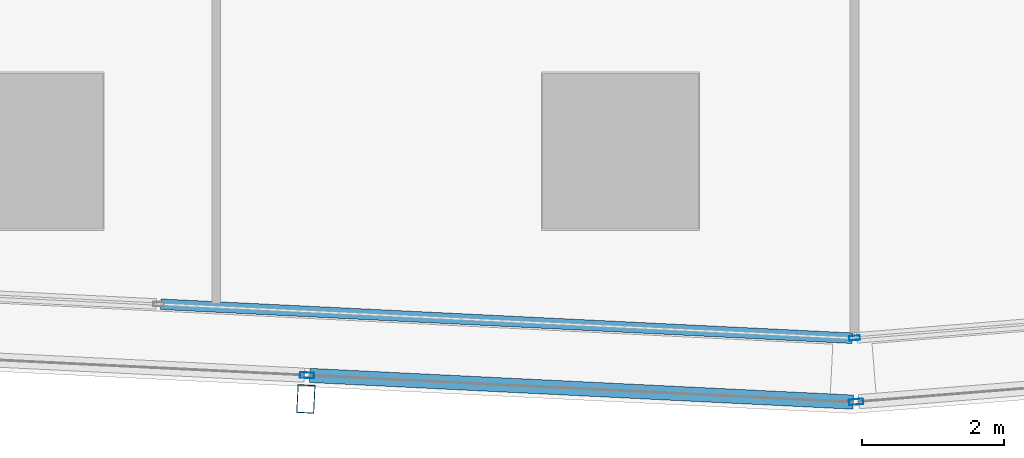
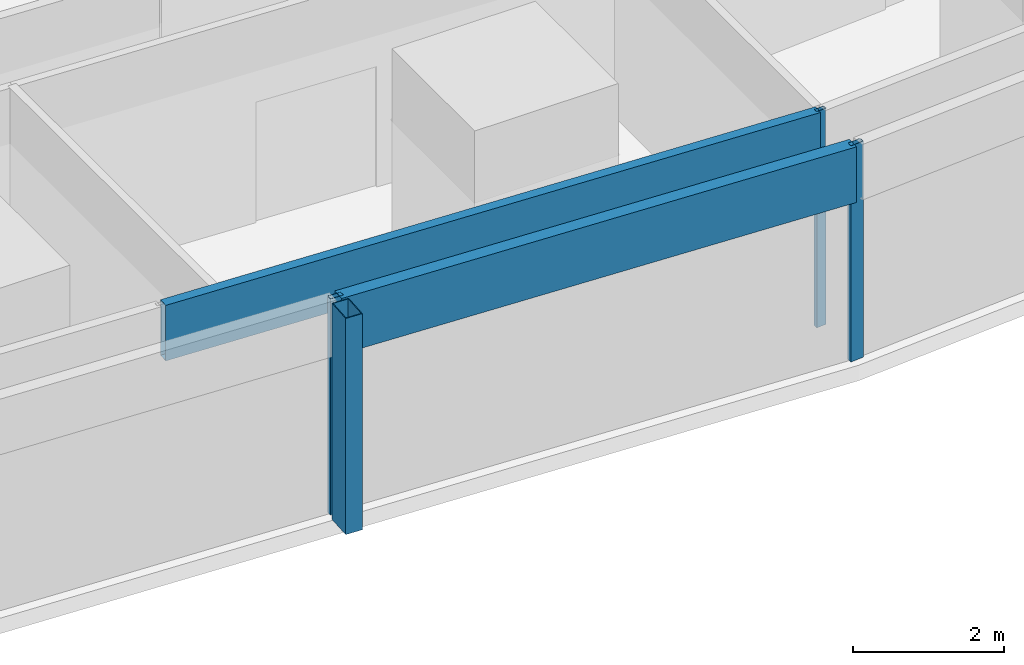
# One storey, part 9 of 44: 6 members, 4 elements without a shape of their own.
"""IFC4 building model written with IfcOpenShell, lengths in metres."""

from ifc_helpers import new_model, si_unit, direction, frame, origin, origin_2d, place, context, subcontext, project, spatial, hollow_rectangle, extrude, material, material_profile, profile_set, type_object, element, aggregate, save


model = new_model("IFC4")

# Units and contexts
model_context = context("Model", 3, precision=1e-05, world=origin(), true_north=direction((0.0, 1.0)))
body_context = subcontext(model_context, "Body", "Model", "MODEL_VIEW")
ifc_project = project(units=[si_unit("LENGTHUNIT", "METRE"), si_unit("AREAUNIT", "SQUARE_METRE"), si_unit("VOLUMEUNIT", "CUBIC_METRE"), si_unit("PLANEANGLEUNIT", "RADIAN"), si_unit("MASSUNIT", "GRAM", prefix="KILO")], contexts=[model_context])

# Site, building, storey
site_placement = place(None, origin())
site = spatial("IfcSite", under=ifc_project, at=site_placement, CompositionType="ELEMENT")
building_placement = place(site_placement, origin())
building = spatial("IfcBuilding", under=site, at=building_placement, Name="Rekha Terrace Tower", CompositionType="ELEMENT")
storey_placement = place(building_placement, frame((0.0, 0.0, 74.14990234375)))
storey = spatial("IfcBuildingStorey", under=building, at=storey_placement, Name="L18", CompositionType="ELEMENT", Elevation=74.14990234375)

# Curtain wall, member
ifc_material_1 = material(Name="Aluminium framing", Category="aluminium")
curtain_wall_type_1 = type_object("IfcCurtainWallType", Name="CW2 double skin outer glazing", PredefinedType="USERDEFINED", material=ifc_material_1)
curtain_wall_1_placement = place(storey_placement, origin())
curtain_wall_1 = element("IfcCurtainWall", 1, at=curtain_wall_1_placement, inside=storey, type_object=curtain_wall_type_1, Name="CW2 double skin outer glazing", ObjectType="DOUBLE SKIN OUTER GLAZING", PredefinedType="USERDEFINED")
ifc_material_2 = material(Name="Steel S355 with fluorocarbon finish", Category="steel")
ifc_material_profile_1 = material_profile(ifc_material_2, hollow_rectangle(XDim=0.25, YDim=0.39990234375, WallThickness=0.012451171875, at=origin_2d()), Name="RHS400x250x12.5")
ifc_profile_set_1 = profile_set([ifc_material_profile_1], Name="Steel S355 with fluorocarbon finish")
member_type_1 = type_object("IfcMemberType", Name="BL1 facade blade RHS 400 x 250", PredefinedType="USERDEFINED", material=ifc_profile_set_1)
member_1_placement = place(storey_placement, frame((37.562744140625, 4.904296875, 0.0), z_axis=(0.0, 0.0, 1.0), x_axis=(0.998796226835, -0.049051985279, 0.0)))
member_1 = element("IfcMember", 2, at=member_1_placement, type_object=member_type_1, Name="Facade blade", ObjectType="FACADE BLADE", PredefinedType="USERDEFINED", context=body_context, shape_type="SweptSolid", body=[
    extrude(hollow_rectangle(XDim=0.25, YDim=0.39990234375, WallThickness=0.012451171875, at=origin_2d()), origin(), (0.0, 0.0, 1.0), 3.5),
])

curtain_wall_type_2 = type_object("IfcCurtainWallType", Name="CW1 double skin inner glazing", PredefinedType="USERDEFINED", material=ifc_material_1)
curtain_wall_2_placement = place(storey_placement, origin())
curtain_wall_2 = element("IfcCurtainWall", 3, at=curtain_wall_2_placement, inside=storey, type_object=curtain_wall_type_2, Name="CW1 double skin inner glazing", ObjectType="DOUBLE SKIN INNER GLAZING", PredefinedType="USERDEFINED")
ifc_material_3 = material(Name="Aluminium mullion section", Category="aluminium")
ifc_material_profile_2 = material_profile(ifc_material_3, hollow_rectangle(XDim=0.06494140625, YDim=0.14990234375, WallThickness=0.00390625, at=origin_2d()), Name="AL RHS 65x150")
ifc_profile_set_2 = profile_set([ifc_material_profile_2], Name="Aluminium mullion section")
member_type_2 = type_object("IfcMemberType", Name="CW1 mullion RHS 65 x 150", PredefinedType="MULLION", material=ifc_profile_set_2)
member_2_placement = place(storey_placement, frame((45.303955078125, 5.7646484375, 0.0), z_axis=(0.0, 0.0, 1.0), x_axis=(-0.079872204468, 0.996805111821, 0.0)))
member_2 = element("IfcMember", 4, at=member_2_placement, type_object=member_type_2, Name="CW1 mullion 1", PredefinedType="MULLION", context=body_context, shape_type="SweptSolid", body=[
    extrude(hollow_rectangle(XDim=0.06494140625, YDim=0.14990234375, WallThickness=0.00390625, at=origin_2d()), origin(), (0.0, 0.0, 1.0), 3.5),
])
aggregate(curtain_wall_2, [member_2])

curtain_wall_3_placement = place(storey_placement, origin())
curtain_wall_3 = element("IfcCurtainWall", 5, at=curtain_wall_3_placement, inside=storey, type_object=curtain_wall_type_2, Name="CW1 double skin inner glazing", ObjectType="DOUBLE SKIN INNER GLAZING", PredefinedType="USERDEFINED")
ifc_material_4 = material(Name="Insulated aluminium spandrel box", Category="aluminium")
ifc_material_profile_3 = material_profile(ifc_material_4, hollow_rectangle(XDim=0.14990234375, YDim=0.89990234375, WallThickness=0.0029296875, at=origin_2d()), Name="AL SPANDREL BOX 150x900")
ifc_profile_set_3 = profile_set([ifc_material_profile_3], Name="Insulated aluminium spandrel box")
member_type_3 = type_object("IfcMemberType", Name="CW1 spandrel transom 150 x 900", PredefinedType="USERDEFINED", material=ifc_profile_set_3)
member_3_placement = place(storey_placement, frame((35.516357421875, 6.2412109375, 3.050048828125), z_axis=(0.998795409084, -0.049068633482, 0.0), x_axis=(0.049068633482, 0.998795409084, 0.0)))
member_3 = element("IfcMember", 6, at=member_3_placement, type_object=member_type_3, Name="CW1 spandrel transom 3", ObjectType="TRANSOM", PredefinedType="USERDEFINED", context=body_context, shape_type="SweptSolid", body=[
    extrude(hollow_rectangle(XDim=0.14990234375, YDim=0.89990234375, WallThickness=0.0029296875, at=origin_2d()), origin(), (0.0, 0.0, 1.0), 9.766845703125),
])
aggregate(curtain_wall_3, [member_3])

# Member
ifc_material_profile_4 = material_profile(ifc_material_3, hollow_rectangle(XDim=0.080078125, YDim=0.199951171875, WallThickness=0.00390625, at=origin_2d()), Name="AL RHS 80x200")
ifc_profile_set_4 = profile_set([ifc_material_profile_4], Name="Aluminium mullion section")
member_type_4 = type_object("IfcMemberType", Name="CW2 mullion RHS 80 x 200", PredefinedType="MULLION", material=ifc_profile_set_4)
member_4_placement = place(storey_placement, frame((37.5791015625, 5.23876953125, 0.0), z_axis=(0.0, 0.0, 1.0), x_axis=(0.049051717746, 0.998796239974, 0.0)))
member_4 = element("IfcMember", 7, at=member_4_placement, type_object=member_type_4, Name="CW2 mullion 5", PredefinedType="MULLION", context=body_context, shape_type="SweptSolid", body=[
    extrude(hollow_rectangle(XDim=0.080078125, YDim=0.199951171875, WallThickness=0.00390625, at=origin_2d()), origin(), (0.0, 0.0, 1.0), 3.5),
])

# Curtain wall, member
curtain_wall_4_placement = place(storey_placement, origin())
curtain_wall_4 = element("IfcCurtainWall", 8, at=curtain_wall_4_placement, inside=storey, type_object=curtain_wall_type_1, Name="CW2 double skin outer glazing", ObjectType="DOUBLE SKIN OUTER GLAZING", PredefinedType="USERDEFINED")
member_5_placement = place(storey_placement, frame((45.325439453125, 4.863525390625, 0.0), z_axis=(0.0, 0.0, 1.0), x_axis=(-0.079872204468, 0.996805111821, 0.0)))
member_5 = element("IfcMember", 9, at=member_5_placement, type_object=member_type_4, Name="CW2 mullion 1", PredefinedType="MULLION", context=body_context, shape_type="SweptSolid", body=[
    extrude(hollow_rectangle(XDim=0.080078125, YDim=0.199951171875, WallThickness=0.00390625, at=origin_2d()), origin(), (0.0, 0.0, 1.0), 3.5),
])
aggregate(curtain_wall_4, [member_5])

# Member
ifc_material_profile_5 = material_profile(ifc_material_4, hollow_rectangle(XDim=0.199951171875, YDim=0.89990234375, WallThickness=0.0029296875, at=origin_2d()), Name="AL SPANDREL BOX 200x900")
ifc_profile_set_5 = profile_set([ifc_material_profile_5], Name="Insulated aluminium spandrel box")
member_type_5 = type_object("IfcMemberType", Name="CW2 spandrel transom 200 x 900", PredefinedType="USERDEFINED", material=ifc_profile_set_5)
member_6_placement = place(storey_placement, frame((37.619140625, 5.23681640625, 3.050048828125), z_axis=(0.998796518042, -0.049046055373, 0.0), x_axis=(0.049046055373, 0.998796518042, 0.0)))
member_6 = element("IfcMember", 10, at=member_6_placement, type_object=member_type_5, Name="CW2 spandrel transom 5", ObjectType="TRANSOM", PredefinedType="USERDEFINED", context=body_context, shape_type="SweptSolid", body=[
    extrude(hollow_rectangle(XDim=0.199951171875, YDim=0.89990234375, WallThickness=0.0029296875, at=origin_2d()), origin(), (0.0, 0.0, 1.0), 7.67578125),
])

aggregate(curtain_wall_1, [member_4, member_6, member_1])

save(model, "model.ifc")
